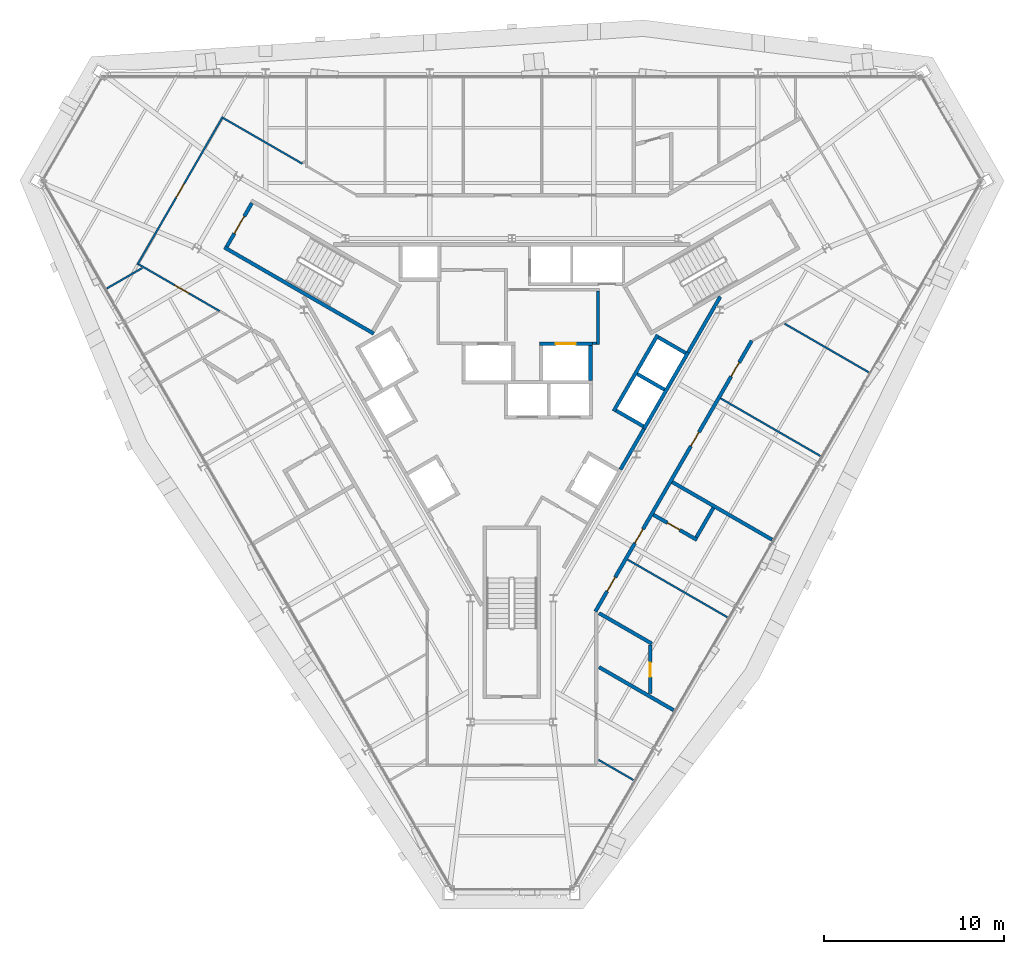
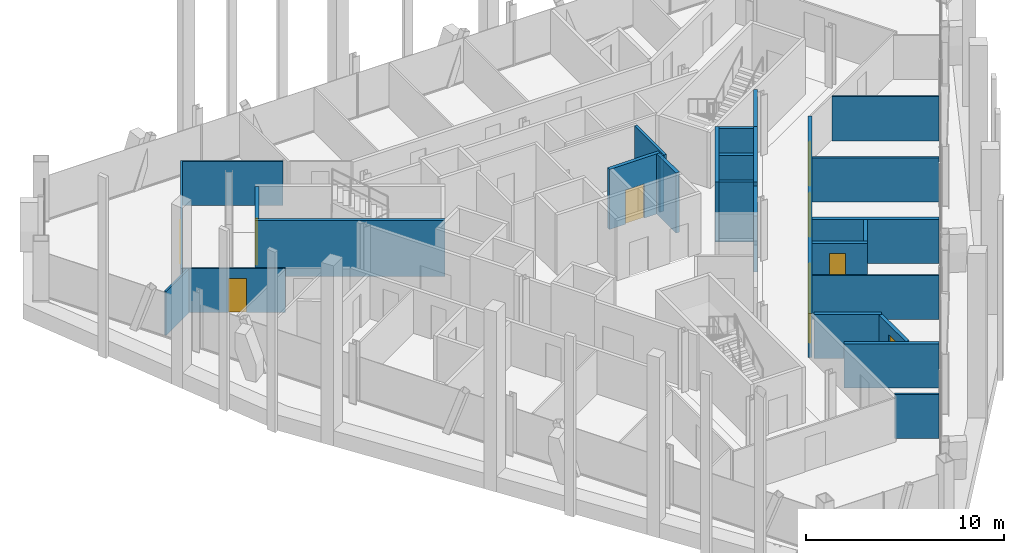
# One storey, part 12 of 16: 28 walls, 10 doors, 10 openings.
"""IFC4 building model written with IfcOpenShell, lengths in metres."""

from ifc_helpers import new_model, si_unit, direction, frame, frame_2d, origin, place, context, subcontext, project, spatial, rectangle, extrude, material, layer, layer_set, type_object, element, fill, save


model = new_model("IFC4")

# Units and contexts
model_context = context("Model", 3, precision=1e-05, world=origin(), true_north=direction((0.0, 1.0)))
body_context = subcontext(model_context, "Body", "Model", "MODEL_VIEW")
ifc_project = project(units=[si_unit("LENGTHUNIT", "METRE"), si_unit("AREAUNIT", "SQUARE_METRE"), si_unit("VOLUMEUNIT", "CUBIC_METRE"), si_unit("PLANEANGLEUNIT", "RADIAN"), si_unit("MASSUNIT", "GRAM", prefix="KILO")], contexts=[model_context])

# Site, building, storey
site_placement = place(None, origin())
site = spatial("IfcSite", under=ifc_project, at=site_placement, CompositionType="ELEMENT")
building_placement = place(site_placement, origin())
building = spatial("IfcBuilding", under=site, at=building_placement, Name="Verrane Prism Tower", CompositionType="ELEMENT")
storey_placement = place(building_placement, frame((0.0, 0.0, 247.10009765625)))
storey = spatial("IfcBuildingStorey", under=building, at=storey_placement, Name="L62", CompositionType="ELEMENT", Elevation=247.10009765625)

# Walls
ifc_material_1 = material(Name="Gypsum board partition", Category="other")
ifc_layer_1 = layer(ifc_material_1, 0.199951171875)
ifc_layer_set_1 = layer_set([ifc_layer_1], Name="CW-200 core boundary wall 2 h")
wall_type_1 = type_object("IfcWallType", Name="CW-200 core boundary wall 2 h", PredefinedType="PARTITIONING", material=ifc_layer_set_1)
wall_1_placement = place(storey_placement, frame((6.0419921875, -4.85498046875, 0.0), z_axis=(0.0, 0.0, 1.0), x_axis=(0.500252727967, 0.865879442048, 0.0)))
element("IfcWall", 1, at=wall_1_placement, inside=storey, type_object=wall_type_1, Name="Core boundary wall CW3-007", PredefinedType="PARTITIONING", context=body_context, shape_type="SweptSolid", body=[
    extrude(rectangle(XDim=2.616943359375, YDim=0.199951171875, at=frame_2d((1.30859375, 0.0))), origin(), (0.0, 0.0, 1.0), 3.449951171875),
])
wall_2_placement = place(storey_placement, frame((9.802978515625, 1.657958984375, 0.0), z_axis=(0.0, 0.0, 1.0), x_axis=(0.499943114462, 0.866058244174, 0.0)))
element("IfcWall", 2, at=wall_2_placement, inside=storey, type_object=wall_type_1, Name="Core boundary wall CW3-008", PredefinedType="PARTITIONING", context=body_context, shape_type="SweptSolid", body=[
    extrude(rectangle(XDim=3.57568359375, YDim=0.199951171875, at=frame_2d((1.787841796875, 0.0))), origin(), (0.0, 0.0, 1.0), 3.449951171875),
])

# Wall, opening, door
ifc_material_2 = material(Name="Concrete C40/50", Category="concrete")
ifc_layer_2 = layer(ifc_material_2, 0.199951171875)
ifc_layer_set_2 = layer_set([ifc_layer_2], Name="CW-200 stair core wall concrete C40/50 3 h")
wall_type_2 = type_object("IfcWallType", Name="CW-200 stair core wall concrete C40/50 3 h", PredefinedType="PARTITIONING", material=ifc_layer_set_2)
wall_3_placement = place(storey_placement, frame((-14.455322265625, 9.96240234375, 0.0), z_axis=(0.0, 0.0, 1.0), x_axis=(-0.500049511043, -0.865996816683, 0.0)))
wall_3 = element("IfcWall", 3, at=wall_3_placement, inside=storey, type_object=wall_type_2, Name="Stair 2 enclosure wall", PredefinedType="PARTITIONING", context=body_context, shape_type="SweptSolid", body=[
    extrude(rectangle(XDim=2.800048828125, YDim=0.199951171875, at=frame_2d((1.39990234375, 0.0))), origin(), (0.0, 0.0, 1.0), 3.449951171875),
])
opening_1_placement = place(wall_3_placement, frame((0.849853515625, 0.0, 0.0)))
opening_1 = element("IfcOpeningElement", 4, at=opening_1_placement, cuts=wall_3, Name="Opening D62501", PredefinedType="OPENING", context=body_context, shape_type="SweptSolid", body=[
    extrude(rectangle(XDim=1.10009765625, YDim=2.10009765625, at=frame_2d((0.550048828125, 1.050048828125))), frame((0.0, 0.10986328125, 0.0), z_axis=(0.0, -1.0, 0.0), x_axis=(1.0, 0.0, 0.0)), (0.0, 0.0, 1.0), 0.219970703125),
])
ifc_material_3 = material(Name="Timber veneered door leaf", Category="wood")
door_type_1 = type_object("IfcDoorType", Name="DR-1100x2100 FD90 single leaf stair", OperationType="NOTDEFINED", PredefinedType="DOOR", material=ifc_material_3)
door_1_placement = place(opening_1_placement, origin())
door_1 = element("IfcDoor", 5, at=door_1_placement, inside=storey, type_object=door_type_1, Name="Stair 2 door", OperationType="SINGLE_SWING_RIGHT", OverallHeight=2.10009765625, OverallWidth=1.10009765625, PredefinedType="DOOR", context=body_context, shape_type="SweptSolid", body=[
    extrude(rectangle(XDim=1.10009765625, YDim=2.10009765625, at=frame_2d((0.550048828125, 1.050048828125))), frame((0.0, 0.02490234375, 0.0), z_axis=(0.0, -1.0, 0.0), x_axis=(1.0, 0.0, 0.0)), (0.0, 0.0, 1.0), 0.050048828125),
])
fill(opening_1, door_1)

# Wall
wall_4_placement = place(storey_placement, frame((-7.67822265625, 2.700927734375, 0.0), z_axis=(0.0, 0.0, 1.0), x_axis=(-0.866019993635, 0.500009370536, 0.0)))
element("IfcWall", 6, at=wall_4_placement, inside=storey, type_object=wall_type_2, Name="Stair 2 enclosure wall", PredefinedType="PARTITIONING", context=body_context, shape_type="SweptSolid", body=[
    extrude(rectangle(XDim=9.599853515625, YDim=0.199951171875, at=frame_2d((4.7998046875, 0.0))), origin(), (0.0, 0.0, 1.0), 3.449951171875),
])

# Wall, opening, door
ifc_material_4 = material(Name="Gypsum board shaft wall assembly", Category="other")
ifc_layer_3 = layer(ifc_material_4, 0.199951171875)
ifc_layer_set_3 = layer_set([ifc_layer_3], Name="HW-200 lift shaft wall 2 h")
wall_type_3 = type_object("IfcWallType", Name="HW-200 lift shaft wall 2 h", PredefinedType="PARTITIONING", material=ifc_layer_set_3)
wall_5_placement = place(storey_placement, frame((1.52490234375, 2.14990234375, 0.0), z_axis=(0.0, 0.0, 1.0), x_axis=(1.0, 0.0, 0.0)))
wall_5 = element("IfcWall", 7, at=wall_5_placement, inside=storey, type_object=wall_type_3, Name="Lift shaft wall", PredefinedType="PARTITIONING", context=body_context, shape_type="SweptSolid", body=[
    extrude(rectangle(XDim=2.9501953125, YDim=0.199951171875, at=frame_2d((1.47509765625, 0.0))), origin(), (0.0, 0.0, 1.0), 3.699951171875),
])
opening_2_placement = place(wall_5_placement, frame((0.925048828125, 0.0, 0.0)))
opening_2 = element("IfcOpeningElement", 8, at=opening_2_placement, cuts=wall_5, Name="Opening D62508", PredefinedType="OPENING", context=body_context, shape_type="SweptSolid", body=[
    extrude(rectangle(XDim=1.10009765625, YDim=2.10009765625, at=frame_2d((0.550048828125, 1.050048828125))), frame((0.0, 0.10986328125, 0.0), z_axis=(0.0, -1.0, 0.0), x_axis=(1.0, 0.0, 0.0)), (0.0, 0.0, 1.0), 0.219970703125),
])
ifc_material_5 = material(Name="Stainless steel sliding landing door", Category="steel")
door_type_2 = type_object("IfcDoorType", Name="LD-1100x2100 lift landing door FD90 sliding", OperationType="NOTDEFINED", PredefinedType="DOOR", material=ifc_material_5)
door_2_placement = place(opening_2_placement, origin())
door_2 = element("IfcDoor", 9, at=door_2_placement, inside=storey, type_object=door_type_2, Name="Fire service lift 2 landing door", OperationType="SLIDING_TO_RIGHT", OverallHeight=2.10009765625, OverallWidth=1.10009765625, PredefinedType="DOOR", context=body_context, shape_type="SweptSolid", body=[
    extrude(rectangle(XDim=1.10009765625, YDim=2.10009765625, at=frame_2d((0.550048828125, 1.050048828125))), frame((0.0, 0.02490234375, 0.0), z_axis=(0.0, -1.0, 0.0), x_axis=(1.0, 0.0, 0.0)), (0.0, 0.0, 1.0), 0.050048828125),
])
fill(opening_2, door_2)

# Walls
wall_6_placement = place(storey_placement, frame((7.351318359375, -2.587158203125, 0.0), z_axis=(0.0, 0.0, 1.0), x_axis=(0.500002801628, 0.866023786258, 0.0)))
element("IfcWall", 10, at=wall_6_placement, inside=storey, type_object=wall_type_3, Name="Lift shaft wall", PredefinedType="PARTITIONING", context=body_context, shape_type="SweptSolid", body=[
    extrude(rectangle(XDim=4.89990234375, YDim=0.199951171875, at=frame_2d((2.449951171875, 0.0))), origin(), (0.0, 0.0, 1.0), 3.699951171875),
])
wall_7_placement = place(storey_placement, frame((5.66259765625, -1.6123046875, 0.0), z_axis=(0.0, 0.0, 1.0), x_axis=(0.49998122708, 0.866036242063, 0.0)))
element("IfcWall", 11, at=wall_7_placement, inside=storey, type_object=wall_type_3, Name="Lift shaft wall", PredefinedType="PARTITIONING", context=body_context, shape_type="SweptSolid", body=[
    extrude(rectangle(XDim=4.900146484375, YDim=0.199951171875, at=frame_2d((2.4501953125, 0.0))), origin(), (0.0, 0.0, 1.0), 3.699951171875),
])
wall_8_placement = place(storey_placement, frame((4.375, 0.10009765625, 0.0), z_axis=(0.0, 0.0, 1.0), x_axis=(0.0, 1.0, 0.0)))
element("IfcWall", 12, at=wall_8_placement, inside=storey, type_object=wall_type_3, Name="Lift shaft wall", PredefinedType="PARTITIONING", context=body_context, shape_type="SweptSolid", body=[
    extrude(rectangle(XDim=1.949951171875, YDim=0.199951171875, at=frame_2d((0.97509765625, 0.0))), origin(), (0.0, 0.0, 1.0), 3.699951171875),
])
wall_9_placement = place(storey_placement, frame((9.66455078125, 1.61962890625, 0.0), z_axis=(0.0, 0.0, 1.0), x_axis=(-0.866002029911, 0.500040482552, 0.0)))
element("IfcWall", 13, at=wall_9_placement, inside=storey, type_object=wall_type_3, Name="Lift shaft wall", PredefinedType="PARTITIONING", context=body_context, shape_type="SweptSolid", body=[
    extrude(rectangle(XDim=1.749755859375, YDim=0.199951171875, at=frame_2d((0.875, 0.0))), origin(), (0.0, 0.0, 1.0), 3.699951171875),
])
for number, where, z_axis, x_axis, name in (
    (14, (8.48974609375, -0.41552734375, 0.0), (0.0, 0.0, 1.0), (-0.866036909293, 0.499980071345, 0.0), "Lift shaft wall"),
    (15, (7.314697265625, -2.45068359375, 0.0), (0.0, 0.0, 1.0), (-0.866036909293, 0.499980071345, 0.0), "Lift shaft wall"),
):
    element("IfcWall", number, at=place(storey_placement, frame(where, z_axis=z_axis, x_axis=x_axis)), inside=storey, type_object=wall_type_3, Name=name, PredefinedType="PARTITIONING", context=body_context, shape_type="SweptSolid", body=[
        extrude(rectangle(XDim=1.75, YDim=0.199951171875, at=frame_2d((0.875, 0.0))), origin(), (0.0, 0.0, 1.0), 3.699951171875),
    ])
ifc_material_6 = material(Name="Gypsum board partition", Category="other")
ifc_layer_4 = layer(ifc_material_6, 0.14990234375)
ifc_layer_set_4 = layer_set([ifc_layer_4], Name="LF-150 firefighting lobby wall 1 h")
wall_type_4 = type_object("IfcWallType", Name="LF-150 firefighting lobby wall 1 h", PredefinedType="PARTITIONING", material=ifc_layer_set_4)
wall_10_placement = place(storey_placement, frame((4.47705078125, 2.159912109375, 0.0), z_axis=(0.0, 0.0, 1.0), x_axis=(1.0, 0.0, 0.0)))
element("IfcWall", 16, at=wall_10_placement, inside=storey, type_object=wall_type_4, Name="Firefighting lobby wall LF1-006", PredefinedType="PARTITIONING", context=body_context, shape_type="SweptSolid", body=[
    extrude(rectangle(XDim=0.238037109375, YDim=0.14990234375, at=frame_2d((0.119140625, 0.0))), origin(), (0.0, 0.0, 1.0), 3.449951171875),
])
wall_11_placement = place(storey_placement, frame((4.7900390625, 2.0849609375, 0.0), z_axis=(0.0, 0.0, 1.0), x_axis=(0.0, 1.0, 0.0)))
element("IfcWall", 17, at=wall_11_placement, inside=storey, type_object=wall_type_4, Name="Firefighting lobby wall LF1-007", PredefinedType="PARTITIONING", context=body_context, shape_type="SweptSolid", body=[
    extrude(rectangle(XDim=2.97998046875, YDim=0.14990234375, at=frame_2d((1.489990234375, 0.0))), origin(), (0.0, 0.0, 1.0), 3.449951171875),
])
ifc_material_7 = material(Name="Gypsum board partition", Category="other")
ifc_layer_5 = layer(ifc_material_7, 0.10009765625)
ifc_layer_set_5 = layer_set([ifc_layer_5], Name="PW-100 room partition")
wall_type_5 = type_object("IfcWallType", Name="PW-100 room partition", PredefinedType="PARTITIONING", material=ifc_layer_set_5)
wall_12_placement = place(storey_placement, frame((-22.529541015625, 5.210205078125, 0.0), z_axis=(0.0, 0.0, 1.0), x_axis=(0.865865073245, 0.500277597875, 0.0)))
element("IfcWall", 18, at=wall_12_placement, inside=storey, type_object=wall_type_5, Name="Room partition 001", PredefinedType="PARTITIONING", context=body_context, shape_type="SweptSolid", body=[
    extrude(rectangle(XDim=2.283935546875, YDim=0.10009765625, at=frame_2d((1.14208984375, 0.0))), origin(), (0.0, 0.0, 1.0), 2.712890625),
])

# Wall, opening, door
wall_13_placement = place(storey_placement, frame((-16.2529296875, 3.95703125, 0.0), z_axis=(0.0, 0.0, 1.0), x_axis=(-0.866006514596, 0.500032715607, 0.0)))
wall_13 = element("IfcWall", 19, at=wall_13_placement, inside=storey, type_object=wall_type_5, Name="Room partition 002", PredefinedType="PARTITIONING", context=body_context, shape_type="SweptSolid", body=[
    extrude(rectangle(XDim=5.199462890625, YDim=0.10009765625, at=frame_2d((2.599609375, 0.0))), origin(), (0.0, 0.0, 1.0), 2.712890625),
])
opening_3_placement = place(wall_13_placement, frame((1.9775390625, 0.0, 0.0)))
opening_3 = element("IfcOpeningElement", 20, at=opening_3_placement, cuts=wall_13, Name="Opening D62018", PredefinedType="OPENING", context=body_context, shape_type="SweptSolid", body=[
    extrude(rectangle(XDim=0.89990234375, YDim=2.10009765625, at=frame_2d((0.449951171875, 1.050048828125))), frame((0.0, 0.06005859375, 0.0), z_axis=(0.0, -1.0, 0.0), x_axis=(1.0, 0.0, 0.0)), (0.0, 0.0, 1.0), 0.1201171875),
])
ifc_material_8 = material(Name="Timber veneered door leaf", Category="wood")
door_type_3 = type_object("IfcDoorType", Name="DR-900x2100 single leaf unit", OperationType="NOTDEFINED", PredefinedType="DOOR", material=ifc_material_8)
door_3_placement = place(opening_3_placement, origin())
door_3 = element("IfcDoor", 21, at=door_3_placement, inside=storey, type_object=door_type_3, Name="Kitchen door", OperationType="SINGLE_SWING_LEFT", OverallHeight=2.10009765625, OverallWidth=0.89990234375, PredefinedType="DOOR", context=body_context, shape_type="SweptSolid", body=[
    extrude(rectangle(XDim=0.89990234375, YDim=2.10009765625, at=frame_2d((0.449951171875, 1.050048828125))), frame((0.0, 0.02490234375, 0.0), z_axis=(0.0, -1.0, 0.0), x_axis=(1.0, 0.0, 0.0)), (0.0, 0.0, 1.0), 0.050048828125),
])
fill(opening_3, door_3)

wall_14_placement = place(storey_placement, frame((-20.823974609375, 6.538818359375, 0.0), z_axis=(0.0, 0.0, 1.0), x_axis=(0.500297300687, 0.865853689098, 0.0)))
wall_14 = element("IfcWall", 22, at=wall_14_placement, inside=storey, type_object=wall_type_5, Name="Room partition 003", PredefinedType="PARTITIONING", context=body_context, shape_type="SweptSolid", body=[
    extrude(rectangle(XDim=9.496337890625, YDim=0.10009765625, at=frame_2d((4.748046875, 0.0))), origin(), (0.0, 0.0, 1.0), 2.712890625),
])
opening_4_placement = place(wall_14_placement, frame((4.300048828125, 0.0, 0.0)))
opening_4 = element("IfcOpeningElement", 23, at=opening_4_placement, cuts=wall_14, Name="Opening D62017", PredefinedType="OPENING", context=body_context, shape_type="SweptSolid", body=[
    extrude(rectangle(XDim=0.89990234375, YDim=2.10009765625, at=frame_2d((0.449951171875, 1.050048828125))), frame((0.0, 0.06005859375, 0.0), z_axis=(0.0, -1.0, 0.0), x_axis=(1.0, 0.0, 0.0)), (0.0, 0.0, 1.0), 0.1201171875),
])
door_4_placement = place(opening_4_placement, origin())
door_4 = element("IfcDoor", 24, at=door_4_placement, inside=storey, type_object=door_type_3, Name="Utility Room door", OperationType="SINGLE_SWING_LEFT", OverallHeight=2.10009765625, OverallWidth=0.89990234375, PredefinedType="DOOR", context=body_context, shape_type="SweptSolid", body=[
    extrude(rectangle(XDim=0.89990234375, YDim=2.10009765625, at=frame_2d((0.449951171875, 1.050048828125))), frame((0.0, 0.02490234375, 0.0), z_axis=(0.0, -1.0, 0.0), x_axis=(1.0, 0.0, 0.0)), (0.0, 0.0, 1.0), 0.050048828125),
])
fill(opening_4, door_4)

# Walls
wall_15_placement = place(storey_placement, frame((-16.0546875, 14.693115234375, 0.0), z_axis=(0.0, 0.0, 1.0), x_axis=(0.866094383736, -0.499880504182, 0.0)))
element("IfcWall", 25, at=wall_15_placement, inside=storey, type_object=wall_type_5, Name="Room partition 009", PredefinedType="PARTITIONING", context=body_context, shape_type="SweptSolid", body=[
    extrude(rectangle(XDim=5.081298828125, YDim=0.10009765625, at=frame_2d((2.54052734375, 0.0))), origin(), (0.0, 0.0, 1.0), 2.712890625),
])
wall_16_placement = place(storey_placement, frame((4.824951171875, -21.004150390625, 0.0), z_axis=(0.0, 0.0, 1.0), x_axis=(0.866121639155, -0.499833278392, 0.0)))
element("IfcWall", 26, at=wall_16_placement, inside=storey, type_object=wall_type_5, Name="Room partition 029", PredefinedType="PARTITIONING", context=body_context, shape_type="SweptSolid", body=[
    extrude(rectangle(XDim=2.224853515625, YDim=0.10009765625, at=frame_2d((1.1123046875, 0.0))), origin(), (0.0, 0.0, 1.0), 2.712890625),
])
wall_17_placement = place(storey_placement, frame((6.43603515625, -9.865478515625, 0.0), z_axis=(0.0, 0.0, 1.0), x_axis=(0.866013405822, -0.500020780506, 0.0)))
element("IfcWall", 27, at=wall_17_placement, inside=storey, type_object=wall_type_5, Name="Room partition 033", PredefinedType="PARTITIONING", context=body_context, shape_type="SweptSolid", body=[
    extrude(rectangle(XDim=6.399169921875, YDim=0.10009765625, at=frame_2d((3.19970703125, 0.0))), origin(), (0.0, 0.0, 1.0), 2.712890625),
])
wall_18_placement = place(storey_placement, frame((11.61181640625, -0.8994140625, 0.0), z_axis=(0.0, 0.0, 1.0), x_axis=(0.865966403178, -0.500102178127, 0.0)))
element("IfcWall", 28, at=wall_18_placement, inside=storey, type_object=wall_type_5, Name="Room partition 043", PredefinedType="PARTITIONING", context=body_context, shape_type="SweptSolid", body=[
    extrude(rectangle(XDim=6.400146484375, YDim=0.10009765625, at=frame_2d((3.2001953125, 0.0))), origin(), (0.0, 0.0, 1.0), 2.712890625),
])
wall_19_placement = place(storey_placement, frame((15.176025390625, 3.249755859375, 0.0), z_axis=(0.0, 0.0, 1.0), x_axis=(0.865941828667, -0.500144728419, 0.0)))
element("IfcWall", 29, at=wall_19_placement, inside=storey, type_object=wall_type_5, Name="Room partition 045", PredefinedType="PARTITIONING", context=body_context, shape_type="SweptSolid", body=[
    extrude(rectangle(XDim=5.38818359375, YDim=0.10009765625, at=frame_2d((2.694091796875, 0.0))), origin(), (0.0, 0.0, 1.0), 2.712890625),
])
ifc_material_9 = material(Name="Gypsum board partition", Category="other")
ifc_layer_6 = layer(ifc_material_9, 0.199951171875)
ifc_layer_set_6 = layer_set([ifc_layer_6], Name="PW-200 plumbing wall")
wall_type_6 = type_object("IfcWallType", Name="PW-200 plumbing wall", PredefinedType="PARTITIONING", material=ifc_layer_set_6)
wall_20_placement = place(storey_placement, frame((4.85009765625, -15.845703125, 0.0), z_axis=(0.0, 0.0, 1.0), x_axis=(0.866007055173, -0.500031779381, 0.0)))
element("IfcWall", 30, at=wall_20_placement, inside=storey, type_object=wall_type_6, Name="Plumbing wall 030", PredefinedType="PARTITIONING", context=body_context, shape_type="SweptSolid", body=[
    extrude(rectangle(XDim=4.782470703125, YDim=0.199951171875, at=frame_2d((2.39111328125, 0.0))), origin(), (0.0, 0.0, 1.0), 2.712890625),
])
wall_21_placement = place(storey_placement, frame((4.85009765625, -12.843505859375, 0.0), z_axis=(0.0, 0.0, 1.0), x_axis=(0.866005731893, -0.500034071167, 0.0)))
element("IfcWall", 31, at=wall_21_placement, inside=storey, type_object=wall_type_6, Name="Plumbing wall 031", PredefinedType="PARTITIONING", context=body_context, shape_type="SweptSolid", body=[
    extrude(rectangle(XDim=3.390869140625, YDim=0.199951171875, at=frame_2d((1.6953125, 0.0))), origin(), (0.0, 0.0, 1.0), 2.712890625),
])

# Wall, openings, doors
wall_22_placement = place(storey_placement, frame((13.342041015625, 2.306396484375, 0.0), z_axis=(0.0, 0.0, 1.0), x_axis=(-0.499983003136, -0.866035216706, 0.0)))
wall_22 = element("IfcWall", 32, at=wall_22_placement, inside=storey, type_object=wall_type_6, Name="Plumbing wall 032", PredefinedType="PARTITIONING", context=body_context, shape_type="SweptSolid", body=[
    extrude(rectangle(XDim=17.384765625, YDim=0.199951171875, at=frame_2d((8.6923828125, 0.0))), origin(), (0.0, 0.0, 1.0), 2.712890625),
])
opening_5_placement = place(wall_22_placement, frame((15.184814453125, 0.0, 0.0)))
opening_5 = element("IfcOpeningElement", 33, at=opening_5_placement, cuts=wall_22, Name="Opening D62002", PredefinedType="OPENING", context=body_context, shape_type="SweptSolid", body=[
    extrude(rectangle(XDim=0.89990234375, YDim=2.10009765625, at=frame_2d((0.449951171875, 1.050048828125))), frame((0.0, 0.10986328125, 0.0), z_axis=(0.0, -1.0, 0.0), x_axis=(1.0, 0.0, 0.0)), (0.0, 0.0, 1.0), 0.219970703125),
])
opening_6_placement = place(wall_22_placement, frame((12.09375, 0.0, 0.0)))
opening_6 = element("IfcOpeningElement", 34, at=opening_6_placement, cuts=wall_22, Name="Opening D62004", PredefinedType="OPENING", context=body_context, shape_type="SweptSolid", body=[
    extrude(rectangle(XDim=0.89990234375, YDim=2.10009765625, at=frame_2d((0.449951171875, 1.050048828125))), frame((0.0, 0.10986328125, 0.0), z_axis=(0.0, -1.0, 0.0), x_axis=(1.0, 0.0, 0.0)), (0.0, 0.0, 1.0), 0.219970703125),
])
opening_7_placement = place(wall_22_placement, frame((5.86669921875, 0.0, 0.0)))
opening_7 = element("IfcOpeningElement", 35, at=opening_7_placement, cuts=wall_22, Name="Opening D62006", PredefinedType="OPENING", context=body_context, shape_type="SweptSolid", body=[
    extrude(rectangle(XDim=0.89990234375, YDim=2.10009765625, at=frame_2d((0.449951171875, 1.050048828125))), frame((0.0, 0.10986328125, 0.0), z_axis=(0.0, -1.0, 0.0), x_axis=(1.0, 0.0, 0.0)), (0.0, 0.0, 1.0), 0.219970703125),
])
opening_8_placement = place(wall_22_placement, frame((1.391845703125, 0.0, 0.0)))
opening_8 = element("IfcOpeningElement", 36, at=opening_8_placement, cuts=wall_22, Name="Opening D62007", PredefinedType="OPENING", context=body_context, shape_type="SweptSolid", body=[
    extrude(rectangle(XDim=0.89990234375, YDim=2.10009765625, at=frame_2d((0.449951171875, 1.050048828125))), frame((0.0, 0.10986328125, 0.0), z_axis=(0.0, -1.0, 0.0), x_axis=(1.0, 0.0, 0.0)), (0.0, 0.0, 1.0), 0.219970703125),
])
ifc_material_10 = material(Name="Timber veneered door leaf", Category="wood")
door_type_4 = type_object("IfcDoorType", Name="DR-900x2100 single leaf inner", OperationType="NOTDEFINED", PredefinedType="DOOR", material=ifc_material_10)
door_5_placement = place(opening_5_placement, origin())
door_5 = element("IfcDoor", 37, at=door_5_placement, inside=storey, type_object=door_type_4, Name="Master Bedroom door", OperationType="SINGLE_SWING_LEFT", OverallHeight=2.10009765625, OverallWidth=0.89990234375, PredefinedType="DOOR", context=body_context, shape_type="SweptSolid", body=[
    extrude(rectangle(XDim=0.89990234375, YDim=2.10009765625, at=frame_2d((0.449951171875, 1.050048828125))), frame((0.0, 0.02490234375, 0.0), z_axis=(0.0, -1.0, 0.0), x_axis=(1.0, 0.0, 0.0)), (0.0, 0.0, 1.0), 0.050048828125),
])
fill(opening_5, door_5)
door_6_placement = place(opening_6_placement, origin())
door_6 = element("IfcDoor", 38, at=door_6_placement, inside=storey, type_object=door_type_4, Name="Bedroom door", OperationType="SINGLE_SWING_LEFT", OverallHeight=2.10009765625, OverallWidth=0.89990234375, PredefinedType="DOOR", context=body_context, shape_type="SweptSolid", body=[
    extrude(rectangle(XDim=0.89990234375, YDim=2.10009765625, at=frame_2d((0.449951171875, 1.050048828125))), frame((0.0, 0.02490234375, 0.0), z_axis=(0.0, -1.0, 0.0), x_axis=(1.0, 0.0, 0.0)), (0.0, 0.0, 1.0), 0.050048828125),
])
fill(opening_6, door_6)
door_7_placement = place(opening_7_placement, origin())
door_7 = element("IfcDoor", 39, at=door_7_placement, inside=storey, type_object=door_type_3, Name="Study door", OperationType="SINGLE_SWING_LEFT", OverallHeight=2.10009765625, OverallWidth=0.89990234375, PredefinedType="DOOR", context=body_context, shape_type="SweptSolid", body=[
    extrude(rectangle(XDim=0.89990234375, YDim=2.10009765625, at=frame_2d((0.449951171875, 1.050048828125))), frame((0.0, 0.02490234375, 0.0), z_axis=(0.0, -1.0, 0.0), x_axis=(1.0, 0.0, 0.0)), (0.0, 0.0, 1.0), 0.050048828125),
])
fill(opening_7, door_7)
door_8_placement = place(opening_8_placement, origin())
door_8 = element("IfcDoor", 40, at=door_8_placement, inside=storey, type_object=door_type_3, Name="Study door", OperationType="SINGLE_SWING_RIGHT", OverallHeight=2.10009765625, OverallWidth=0.89990234375, PredefinedType="DOOR", context=body_context, shape_type="SweptSolid", body=[
    extrude(rectangle(XDim=0.89990234375, YDim=2.10009765625, at=frame_2d((0.449951171875, 1.050048828125))), frame((0.0, 0.02490234375, 0.0), z_axis=(0.0, -1.0, 0.0), x_axis=(1.0, 0.0, 0.0)), (0.0, 0.0, 1.0), 0.050048828125),
])
fill(opening_8, door_8)

# Wall, opening, door
wall_23_placement = place(storey_placement, frame((7.699951171875, -17.31884765625, 0.0), z_axis=(0.0, 0.0, 1.0), x_axis=(0.0, 1.0, 0.0)))
wall_23 = element("IfcWall", 41, at=wall_23_placement, inside=storey, type_object=wall_type_6, Name="Plumbing wall 036", PredefinedType="PARTITIONING", context=body_context, shape_type="SweptSolid", body=[
    extrude(rectangle(XDim=2.69482421875, YDim=0.199951171875, at=frame_2d((1.347412109375, 0.0))), origin(), (0.0, 0.0, 1.0), 2.712890625),
])
opening_9_placement = place(wall_23_placement, frame((0.9267578125, 0.0, 0.0)))
opening_9 = element("IfcOpeningElement", 42, at=opening_9_placement, cuts=wall_23, Name="Opening D62003", PredefinedType="OPENING", context=body_context, shape_type="SweptSolid", body=[
    extrude(rectangle(XDim=0.800048828125, YDim=2.10009765625, at=frame_2d((0.39990234375, 1.050048828125))), frame((0.0, 0.10986328125, 0.0), z_axis=(0.0, -1.0, 0.0), x_axis=(1.0, 0.0, 0.0)), (0.0, 0.0, 1.0), 0.219970703125),
])
ifc_material_11 = material(Name="Timber veneered door leaf", Category="wood")
door_type_5 = type_object("IfcDoorType", Name="DR-800x2100 single leaf bath", OperationType="NOTDEFINED", PredefinedType="DOOR", material=ifc_material_11)
door_9_placement = place(opening_9_placement, origin())
door_9 = element("IfcDoor", 43, at=door_9_placement, inside=storey, type_object=door_type_5, Name="Master Bathroom door", OperationType="SINGLE_SWING_LEFT", OverallHeight=2.10009765625, OverallWidth=0.800048828125, PredefinedType="DOOR", context=body_context, shape_type="SweptSolid", body=[
    extrude(rectangle(XDim=0.800048828125, YDim=2.10009765625, at=frame_2d((0.39990234375, 1.050048828125))), frame((0.0, 0.02490234375, 0.0), z_axis=(0.0, -1.0, 0.0), x_axis=(1.0, 0.0, 0.0)), (0.0, 0.0, 1.0), 0.050048828125),
])
fill(opening_9, door_9)

wall_24_placement = place(storey_placement, frame((7.87060546875, -7.37109375, 0.0), z_axis=(0.0, 0.0, 1.0), x_axis=(0.866056369097, -0.49994636267, 0.0)))
wall_24 = element("IfcWall", 44, at=wall_24_placement, inside=storey, type_object=wall_type_6, Name="Plumbing wall 037", PredefinedType="PARTITIONING", context=body_context, shape_type="SweptSolid", body=[
    extrude(rectangle(XDim=2.800048828125, YDim=0.199951171875, at=frame_2d((1.39990234375, 0.0))), origin(), (0.0, 0.0, 1.0), 2.712890625),
])
opening_10_placement = place(wall_24_placement, frame((0.89990234375, 0.0, 0.0)))
opening_10 = element("IfcOpeningElement", 45, at=opening_10_placement, cuts=wall_24, Name="Opening D62005", PredefinedType="OPENING", context=body_context, shape_type="SweptSolid", body=[
    extrude(rectangle(XDim=0.800048828125, YDim=2.10009765625, at=frame_2d((0.39990234375, 1.050048828125))), frame((0.0, 0.10986328125, 0.0), z_axis=(0.0, -1.0, 0.0), x_axis=(1.0, 0.0, 0.0)), (0.0, 0.0, 1.0), 0.219970703125),
])
door_10_placement = place(opening_10_placement, origin())
door_10 = element("IfcDoor", 46, at=door_10_placement, inside=storey, type_object=door_type_5, Name="Bathroom door", OperationType="SINGLE_SWING_LEFT", OverallHeight=2.10009765625, OverallWidth=0.800048828125, PredefinedType="DOOR", context=body_context, shape_type="SweptSolid", body=[
    extrude(rectangle(XDim=0.800048828125, YDim=2.10009765625, at=frame_2d((0.39990234375, 1.050048828125))), frame((0.0, 0.02490234375, 0.0), z_axis=(0.0, -1.0, 0.0), x_axis=(1.0, 0.0, 0.0)), (0.0, 0.0, 1.0), 0.050048828125),
])
fill(opening_10, door_10)

# Walls
wall_25_placement = place(storey_placement, frame((8.920654296875, -5.552978515625, 0.0), z_axis=(0.0, 0.0, 1.0), x_axis=(0.866026868306, -0.499997463366, 0.0)))
element("IfcWall", 47, at=wall_25_placement, inside=storey, type_object=wall_type_6, Name="Plumbing wall 039", PredefinedType="PARTITIONING", context=body_context, shape_type="SweptSolid", body=[
    extrude(rectangle(XDim=6.40380859375, YDim=0.199951171875, at=frame_2d((3.201904296875, 0.0))), origin(), (0.0, 0.0, 1.0), 2.712890625),
])
wall_26_placement = place(storey_placement, frame((10.259033203125, -8.634521484375, 0.0), z_axis=(0.0, 0.0, 1.0), x_axis=(0.500078449558, 0.865980106173, 0.0)))
element("IfcWall", 48, at=wall_26_placement, inside=storey, type_object=wall_type_6, Name="Plumbing wall 041", PredefinedType="PARTITIONING", context=body_context, shape_type="SweptSolid", body=[
    extrude(rectangle(XDim=1.899658203125, YDim=0.199951171875, at=frame_2d((0.94970703125, 0.0))), origin(), (0.0, 0.0, 1.0), 2.712890625),
])

save(model, "model.ifc")
